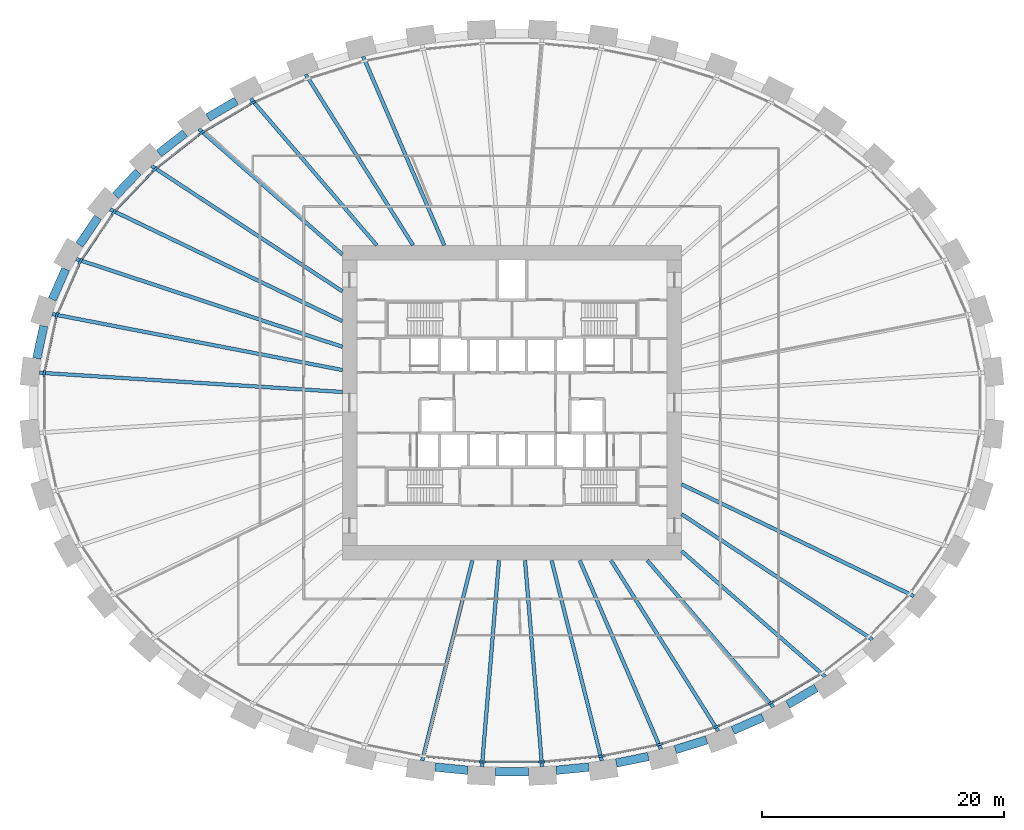
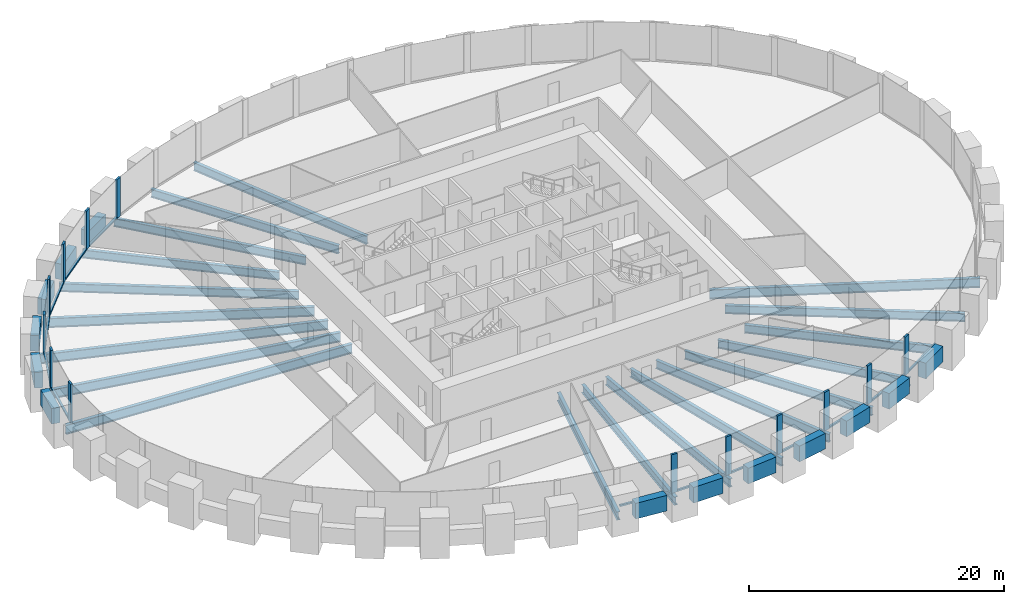
# One storey, part 2 of 10: 32 beams, 26 members, 1 element without a shape of its own.
"""IFC4 building model written with IfcOpenShell, lengths in metres."""

from ifc_helpers import new_model, si_unit, direction, frame, origin, origin_2d, place, context, subcontext, project, spatial, rectangle, i_section, extrude, source, transform, mapped, material, material_profile, profile_set, type_object, element, aggregate, save


model = new_model("IFC4")

# Units and contexts
model_context = context("Model", 3, precision=1e-05, world=origin(), true_north=direction((0.0, 1.0)))
body_context = subcontext(model_context, "Body", "Model", "MODEL_VIEW")
ifc_project = project(units=[si_unit("LENGTHUNIT", "METRE"), si_unit("AREAUNIT", "SQUARE_METRE"), si_unit("VOLUMEUNIT", "CUBIC_METRE"), si_unit("PLANEANGLEUNIT", "RADIAN"), si_unit("MASSUNIT", "GRAM", prefix="KILO")], contexts=[model_context])

# Site, building, storey
site_placement = place(None, origin())
site = spatial("IfcSite", under=ifc_project, at=site_placement, CompositionType="ELEMENT")
building_placement = place(site_placement, origin())
building = spatial("IfcBuilding", under=site, at=building_placement, Name="Embergate Tower", CompositionType="ELEMENT")
storey_placement = place(building_placement, frame((0.0, 0.0, 117.199951171875)))
storey = spatial("IfcBuildingStorey", under=building, at=storey_placement, Name="L25", CompositionType="ELEMENT", Elevation=117.199951171875)

# Beams
ifc_material_1 = material(Name="Concrete C70", Category="concrete")
ifc_material_profile_1 = material_profile(ifc_material_1, rectangle(XDim=0.699951171875, YDim=1.5, at=origin_2d()), Name="RC 700x1500")
ifc_profile_set_1 = profile_set([ifc_material_profile_1], Name="Concrete C70")
beam_type_1 = type_object("IfcBeamType", Name="Spandrel beam RC 700x1500 C70", PredefinedType="BEAM", material=ifc_profile_set_1)
shared_shape_1 = source(origin(), body_context, "Body", "SweptSolid", [
    extrude(rectangle(XDim=0.699951171875, YDim=1.5, at=origin_2d()), origin(), (0.0, 0.0, 1.0), 2.741455078125),
])
beam_1_placement = place(storey_placement, frame((-38.64794921875, 6.337890625, 0.0), z_axis=(-0.210532507107, -0.977586857241, 0.0), x_axis=(0.977586857241, -0.210532507107, 0.0)))
element("IfcBeam", 1, at=beam_1_placement, inside=storey, type_object=beam_type_1, Name="SPN-L25-20", PredefinedType="BEAM", context=body_context, shape_type="MappedRepresentation", body=[
    mapped(shared_shape_1, transform((0.0, 0.0, 0.0))),
])
shared_shape_2 = source(origin(), body_context, "Body", "SweptSolid", [
    extrude(rectangle(XDim=0.699951171875, YDim=1.5, at=origin_2d()), origin(), (0.0, 0.0, 1.0), 2.73779296875),
])
beam_2_placement = place(storey_placement, frame((-36.841064453125, 11.032958984375, 0.0), z_axis=(-0.401740219387, -0.915753676556, 0.0), x_axis=(0.915753676556, -0.401740219387, 0.0)))
element("IfcBeam", 2, at=beam_2_placement, inside=storey, type_object=beam_type_1, Name="SPN-L25-19", PredefinedType="BEAM", context=body_context, shape_type="MappedRepresentation", body=[
    mapped(shared_shape_2, transform((0.0, 0.0, 0.0))),
])
shared_shape_3 = source(origin(), body_context, "Body", "SweptSolid", [
    extrude(rectangle(XDim=0.699951171875, YDim=1.5, at=origin_2d()), origin(), (0.0, 0.0, 1.0), 2.727294921875),
])
beam_3_placement = place(storey_placement, frame((-34.176025390625, 15.291015625, 0.0), z_axis=(-0.562422644454, -0.826849907181, 0.0), x_axis=(0.826849907181, -0.562422644454, 0.0)))
element("IfcBeam", 3, at=beam_3_placement, inside=storey, type_object=beam_type_1, Name="SPN-L25-18", PredefinedType="BEAM", context=body_context, shape_type="MappedRepresentation", body=[
    mapped(shared_shape_3, transform((0.0, 0.0, 0.0))),
])
shared_shape_4 = source(origin(), body_context, "Body", "SweptSolid", [
    extrude(rectangle(XDim=0.699951171875, YDim=1.5, at=origin_2d()), origin(), (0.0, 0.0, 1.0), 2.720947265625),
])
beam_4_placement = place(storey_placement, frame((-30.85302734375, 19.050048828125, 0.0), z_axis=(-0.690174788546, -0.723642702759, 0.0), x_axis=(0.723642702759, -0.690174788546, 0.0)))
element("IfcBeam", 4, at=beam_4_placement, inside=storey, type_object=beam_type_1, Name="SPN-L25-17", PredefinedType="BEAM", context=body_context, shape_type="MappedRepresentation", body=[
    mapped(shared_shape_4, transform((0.0, 0.0, 0.0))),
])
shared_shape_5 = source(origin(), body_context, "Body", "SweptSolid", [
    extrude(rectangle(XDim=0.699951171875, YDim=1.5, at=origin_2d()), origin(), (0.0, 0.0, 1.0), 2.715087890625),
])
beam_5_placement = place(storey_placement, frame((-26.9951171875, 22.25, 0.0), z_axis=(-0.788183854673, -0.61543985184, 0.0), x_axis=(0.61543985184, -0.788183854673, 0.0)))
element("IfcBeam", 5, at=beam_5_placement, inside=storey, type_object=beam_type_1, Name="SPN-L25-16", PredefinedType="BEAM", context=body_context, shape_type="MappedRepresentation", body=[
    mapped(shared_shape_5, transform((0.0, 0.0, 0.0))),
])
shared_shape_6 = source(origin(), body_context, "Body", "SweptSolid", [
    extrude(rectangle(XDim=0.699951171875, YDim=1.5, at=origin_2d()), origin(), (0.0, 0.0, 1.0), 2.70947265625),
])
for number, where, z_axis, x_axis, name in (
    (6, (-22.757080078125, 24.916015625, 0.0), (-0.862100939268, -0.506736588884, 0.0), (0.506736588884, -0.862100939268, 0.0), "SPN-L25-15"),
    (7, (22.757080078125, -24.916015625, 0.0), (0.862100939268, 0.506736588884, 0.0), (-0.506736588884, 0.862100939268, 0.0), "SPN-L25-37"),
):
    element("IfcBeam", number, at=place(storey_placement, frame(where, z_axis=z_axis, x_axis=x_axis)), inside=storey, type_object=beam_type_1, Name=name, PredefinedType="BEAM", context=body_context, shape_type="MappedRepresentation", body=[
        mapped(shared_shape_6, transform((0.0, 0.0, 0.0))),
    ])
shared_shape_7 = source(origin(), body_context, "Body", "SweptSolid", [
    extrude(rectangle(XDim=0.699951171875, YDim=1.5, at=origin_2d()), origin(), (0.0, 0.0, 1.0), 2.70751953125),
])
beam_6_placement = place(storey_placement, frame((18.22705078125, -27.0458984375, 0.0), z_axis=(0.91635176707, 0.400374123774, 0.0), x_axis=(-0.400374123774, 0.91635176707, 0.0)))
element("IfcBeam", 8, at=beam_6_placement, inside=storey, type_object=beam_type_1, Name="SPN-L25-36", PredefinedType="BEAM", context=body_context, shape_type="MappedRepresentation", body=[
    mapped(shared_shape_7, transform((0.0, 0.0, 0.0))),
])
shared_shape_8 = source(origin(), body_context, "Body", "SweptSolid", [
    extrude(rectangle(XDim=0.699951171875, YDim=1.5, at=origin_2d()), origin(), (0.0, 0.0, 1.0), 2.701171875),
])
for number, where, z_axis, x_axis, name in (
    (9, (8.60888671875, -29.735107421875, 0.0), (0.980395998514, 0.197037270836, 0.0), (-0.197037270836, 0.980395998514, 0.0), "SPN-L25-34"),
    (10, (13.486083984375, -28.635009765625, 0.0), (0.954683993788, 0.297621356768, 0.0), (-0.297621356768, 0.954683993788, 0.0), "SPN-L25-35"),
):
    element("IfcBeam", number, at=place(storey_placement, frame(where, z_axis=z_axis, x_axis=x_axis)), inside=storey, type_object=beam_type_1, Name=name, PredefinedType="BEAM", context=body_context, shape_type="MappedRepresentation", body=[
        mapped(shared_shape_8, transform((0.0, 0.0, 0.0))),
    ])
shared_shape_9 = source(origin(), body_context, "Body", "SweptSolid", [
    extrude(rectangle(XDim=0.699951171875, YDim=1.5, at=origin_2d()), origin(), (0.0, 0.0, 1.0), 2.699951171875),
])
for number, where, z_axis, x_axis, name in (
    (11, (-6.333984375, -30.073974609375, 0.0), (0.995211120004, -0.097748793451, 0.0), (0.097748793451, 0.995211120004, 0.0), "SPN-L25-31"),
    (12, (3.64697265625, -30.337890625, 0.0), (0.995211120004, 0.097748793451, 0.0), (-0.097748793451, 0.995211120004, 0.0), "SPN-L25-33"),
):
    element("IfcBeam", number, at=place(storey_placement, frame(where, z_axis=z_axis, x_axis=x_axis)), inside=storey, type_object=beam_type_1, Name=name, PredefinedType="BEAM", context=body_context, shape_type="MappedRepresentation", body=[
        mapped(shared_shape_9, transform((0.0, 0.0, 0.0))),
    ])
shared_shape_10 = source(origin(), body_context, "Body", "SweptSolid", [
    extrude(rectangle(XDim=0.699951171875, YDim=1.5, at=origin_2d()), origin(), (0.0, 0.0, 1.0), 2.7001953125),
])
beam_7_placement = place(storey_placement, frame((-1.35009765625, -30.450927734375, 0.0), z_axis=(1.0, 0.0, 0.0), x_axis=(0.0, 1.0, 0.0)))
element("IfcBeam", 13, at=beam_7_placement, inside=storey, type_object=beam_type_1, Name="SPN-L25-32", PredefinedType="BEAM", context=body_context, shape_type="MappedRepresentation", body=[
    mapped(shared_shape_10, transform((0.0, 0.0, 0.0))),
])
ifc_material_2 = material(Name="Steel Q355B", Category="steel")
ifc_material_profile_2 = material_profile(ifc_material_2, i_section(OverallWidth=0.300048828125, OverallDepth=0.89990234375, WebThickness=0.01611328125, FlangeThickness=0.028076171875, FilletRadius=0.028076171875, at=origin_2d()), Name="HN 900x300x16x28")
ifc_profile_set_2 = profile_set([ifc_material_profile_2], Name="Steel Q355 grade B")
beam_type_2 = type_object("IfcBeamType", Name="Radial girder HN 900x300x16x28", PredefinedType="BEAM", material=ifc_profile_set_2)
shared_shape_11 = source(origin(), body_context, "Body", "SweptSolid", [
    extrude(i_section(OverallWidth=0.300048828125, OverallDepth=0.89990234375, WebThickness=0.01611328125, FlangeThickness=0.028076171875, FilletRadius=0.028076171875, at=origin_2d()), origin(), (0.0, 0.0, 1.0), 25.04833984375),
])
beam_8_placement = place(storey_placement, frame((-38.998046875, 2.47705078125, -0.64990234375), z_axis=(0.997988035397, -0.063402533111, 0.0), x_axis=(0.063402533111, 0.997988035397, 0.0)))
element("IfcBeam", 14, at=beam_8_placement, inside=storey, type_object=beam_type_2, Name="GIR-L25-21", PredefinedType="BEAM", context=body_context, shape_type="MappedRepresentation", body=[
    mapped(shared_shape_11, transform((0.0, 0.0, 0.0))),
])
shared_shape_12 = source(origin(), body_context, "Body", "SweptSolid", [
    extrude(i_section(OverallWidth=0.300048828125, OverallDepth=0.89990234375, WebThickness=0.01611328125, FlangeThickness=0.028076171875, FilletRadius=0.028076171875, at=origin_2d()), origin(), (0.0, 0.0, 1.0), 24.397705078125),
])
beam_9_placement = place(storey_placement, frame((-37.9560546875, 7.322021484375, -0.64990234375), z_axis=(0.981898654656, -0.18940705368, 0.0), x_axis=(0.18940705368, 0.981898654656, 0.0)))
element("IfcBeam", 15, at=beam_9_placement, inside=storey, type_object=beam_type_2, Name="GIR-L25-20", PredefinedType="BEAM", context=body_context, shape_type="MappedRepresentation", body=[
    mapped(shared_shape_12, transform((0.0, 0.0, 0.0))),
])
shared_shape_13 = source(origin(), body_context, "Body", "SweptSolid", [
    extrude(i_section(OverallWidth=0.300048828125, OverallDepth=0.89990234375, WebThickness=0.01611328125, FlangeThickness=0.028076171875, FilletRadius=0.028076171875, at=origin_2d()), origin(), (0.0, 0.0, 1.0), 23.12890625),
])
beam_10_placement = place(storey_placement, frame((-35.965087890625, 11.861083984375, -0.64990234375), z_axis=(0.949684454756, -0.313208295541, 0.0), x_axis=(0.313208295541, 0.949684454756, 0.0)))
element("IfcBeam", 16, at=beam_10_placement, inside=storey, type_object=beam_type_2, Name="GIR-L25-19", PredefinedType="BEAM", context=body_context, shape_type="MappedRepresentation", body=[
    mapped(shared_shape_13, transform((0.0, 0.0, 0.0))),
])
shared_shape_14 = source(origin(), body_context, "Body", "SweptSolid", [
    extrude(i_section(OverallWidth=0.300048828125, OverallDepth=0.89990234375, WebThickness=0.01611328125, FlangeThickness=0.028076171875, FilletRadius=0.028076171875, at=origin_2d()), origin(), (0.0, 0.0, 1.0), 21.28076171875),
])
for number, where, z_axis, x_axis, name in (
    (17, (-33.177001953125, 15.9609375, -0.64990234375), (0.901140134985, -0.433527919654, 0.0), (0.433527919654, 0.901140134985, 0.0), "GIR-L25-18"),
    (18, (33.177001953125, -15.9609375, -0.64990234375), (-0.901140134985, 0.433527919654, 0.0), (-0.433527919654, -0.901140134985, 0.0), "GIR-L25-40"),
):
    element("IfcBeam", number, at=place(storey_placement, frame(where, z_axis=z_axis, x_axis=x_axis)), inside=storey, type_object=beam_type_2, Name=name, PredefinedType="BEAM", context=body_context, shape_type="MappedRepresentation", body=[
        mapped(shared_shape_14, transform((0.0, 0.0, 0.0))),
    ])
ifc_material_profile_3 = material_profile(ifc_material_2, i_section(OverallWidth=0.300048828125, OverallDepth=0.800048828125, WebThickness=0.013916015625, FlangeThickness=0.02587890625, FilletRadius=0.028076171875, at=origin_2d()), Name="HN 800x300x14x26")
ifc_profile_set_3 = profile_set([ifc_material_profile_3], Name="Steel Q355 grade B")
beam_type_3 = type_object("IfcBeamType", Name="Radial girder HN 800x300x14x26", PredefinedType="BEAM", material=ifc_profile_set_3)
shared_shape_15 = source(origin(), body_context, "Body", "SweptSolid", [
    extrude(i_section(OverallWidth=0.300048828125, OverallDepth=0.800048828125, WebThickness=0.013916015625, FlangeThickness=0.02587890625, FilletRadius=0.028076171875, at=origin_2d()), origin(), (0.0, 0.0, 1.0), 18.8515625),
])
for number, where, z_axis, x_axis, name in (
    (19, (-29.7548828125, 19.550048828125, -0.599853515625), (0.835733668862, -0.549134987713, 0.0), (0.549134987713, 0.835733668862, 0.0), "GIR-L25-17"),
    (20, (29.7548828125, -19.550048828125, -0.599853515625), (-0.835733668862, 0.549134987713, 0.0), (-0.549134987713, -0.835733668862, 0.0), "GIR-L25-39"),
):
    element("IfcBeam", number, at=place(storey_placement, frame(where, z_axis=z_axis, x_axis=x_axis)), inside=storey, type_object=beam_type_3, Name=name, PredefinedType="BEAM", context=body_context, shape_type="MappedRepresentation", body=[
        mapped(shared_shape_15, transform((0.0, 0.0, 0.0))),
    ])
shared_shape_16 = source(origin(), body_context, "Body", "SweptSolid", [
    extrude(i_section(OverallWidth=0.300048828125, OverallDepth=0.800048828125, WebThickness=0.013916015625, FlangeThickness=0.02587890625, FilletRadius=0.028076171875, at=origin_2d()), origin(), (0.0, 0.0, 1.0), 15.73583984375),
])
for number, where, z_axis, x_axis, name in (
    (21, (-25.844970703125, 22.60205078125, -0.599853515625), (0.752741020376, -0.658316759807, 0.0), (0.658316759807, 0.752741020376, 0.0), "GIR-L25-16"),
    (22, (25.844970703125, -22.60205078125, -0.599853515625), (-0.752741020376, 0.658316759807, 0.0), (-0.658316759807, -0.752741020376, 0.0), "GIR-L25-38"),
):
    element("IfcBeam", number, at=place(storey_placement, frame(where, z_axis=z_axis, x_axis=x_axis)), inside=storey, type_object=beam_type_3, Name=name, PredefinedType="BEAM", context=body_context, shape_type="MappedRepresentation", body=[
        mapped(shared_shape_16, transform((0.0, 0.0, 0.0))),
    ])
shared_shape_17 = source(origin(), body_context, "Body", "SweptSolid", [
    extrude(i_section(OverallWidth=0.300048828125, OverallDepth=0.800048828125, WebThickness=0.013916015625, FlangeThickness=0.02587890625, FilletRadius=0.028076171875, at=origin_2d()), origin(), (0.0, 0.0, 1.0), 15.969970703125),
])
for number, where, z_axis, x_axis, name in (
    (23, (-21.568115234375, 25.115966796875, -0.599853515625), (0.651474728506, -0.758670335599, 0.0), (0.758670335599, 0.651474728506, 0.0), "GIR-L25-15"),
    (24, (21.568115234375, -25.115966796875, -0.599853515625), (-0.651474728506, 0.758670335599, 0.0), (-0.758670335599, -0.651474728506, 0.0), "GIR-L25-37"),
):
    element("IfcBeam", number, at=place(storey_placement, frame(where, z_axis=z_axis, x_axis=x_axis)), inside=storey, type_object=beam_type_3, Name=name, PredefinedType="BEAM", context=body_context, shape_type="MappedRepresentation", body=[
        mapped(shared_shape_17, transform((0.0, 0.0, 0.0))),
    ])
shared_shape_18 = source(origin(), body_context, "Body", "SweptSolid", [
    extrude(i_section(OverallWidth=0.300048828125, OverallDepth=0.800048828125, WebThickness=0.013916015625, FlangeThickness=0.02587890625, FilletRadius=0.028076171875, at=origin_2d()), origin(), (0.0, 0.0, 1.0), 16.65478515625),
])
for number, where, z_axis, x_axis, name in (
    (25, (-17.02197265625, 27.10400390625, -0.599853515625), (0.531850282952, -0.846838400478, 0.0), (0.846838400478, 0.531850282952, 0.0), "GIR-L25-14"),
    (26, (17.02197265625, -27.10400390625, -0.599853515625), (-0.531850282952, 0.846838400478, 0.0), (-0.846838400478, -0.531850282952, 0.0), "GIR-L25-36"),
):
    element("IfcBeam", number, at=place(storey_placement, frame(where, z_axis=z_axis, x_axis=x_axis)), inside=storey, type_object=beam_type_3, Name=name, PredefinedType="BEAM", context=body_context, shape_type="MappedRepresentation", body=[
        mapped(shared_shape_18, transform((0.0, 0.0, 0.0))),
    ])
shared_shape_19 = source(origin(), body_context, "Body", "SweptSolid", [
    extrude(i_section(OverallWidth=0.300048828125, OverallDepth=0.800048828125, WebThickness=0.013916015625, FlangeThickness=0.02587890625, FilletRadius=0.028076171875, at=origin_2d()), origin(), (0.0, 0.0, 1.0), 16.95751953125),
])
for number, where, z_axis, x_axis, name in (
    (27, (-12.284912109375, 28.5791015625, -0.599853515625), (0.394928600028, -0.918711816012, 0.0), (0.918711816012, 0.394928600028, 0.0), "GIR-L25-13"),
    (28, (12.284912109375, -28.5791015625, -0.599853515625), (-0.394928600028, 0.918711816012, 0.0), (-0.918711816012, -0.394928600028, 0.0), "GIR-L25-35"),
):
    element("IfcBeam", number, at=place(storey_placement, frame(where, z_axis=z_axis, x_axis=x_axis)), inside=storey, type_object=beam_type_3, Name=name, PredefinedType="BEAM", context=body_context, shape_type="MappedRepresentation", body=[
        mapped(shared_shape_19, transform((0.0, 0.0, 0.0))),
    ])
shared_shape_20 = source(origin(), body_context, "Body", "SweptSolid", [
    extrude(i_section(OverallWidth=0.300048828125, OverallDepth=0.800048828125, WebThickness=0.013916015625, FlangeThickness=0.02587890625, FilletRadius=0.028076171875, at=origin_2d()), origin(), (0.0, 0.0, 1.0), 17.068603515625),
])
for number, where, z_axis, x_axis, name in (
    (29, (-7.419921875, -29.554931640625, -0.599853515625), (0.243487950905, 0.969903921924, 0.0), (-0.969903921924, 0.243487950905, 0.0), "GIR-L25-31"),
    (30, (7.419921875, -29.554931640625, -0.599853515625), (-0.243487950905, 0.969903921924, 0.0), (-0.969903921924, -0.243487950905, 0.0), "GIR-L25-34"),
):
    element("IfcBeam", number, at=place(storey_placement, frame(where, z_axis=z_axis, x_axis=x_axis)), inside=storey, type_object=beam_type_3, Name=name, PredefinedType="BEAM", context=body_context, shape_type="MappedRepresentation", body=[
        mapped(shared_shape_20, transform((0.0, 0.0, 0.0))),
    ])
shared_shape_21 = source(origin(), body_context, "Body", "SweptSolid", [
    extrude(i_section(OverallWidth=0.300048828125, OverallDepth=0.800048828125, WebThickness=0.013916015625, FlangeThickness=0.02587890625, FilletRadius=0.028076171875, at=origin_2d()), origin(), (0.0, 0.0, 1.0), 17.09912109375),
])
for number, where, z_axis, x_axis, name in (
    (31, (-2.48095703125, -30.041015625, -0.599853515625), (0.082284484054, 0.996608882001, 0.0), (-0.996608882001, 0.082284484054, 0.0), "GIR-L25-32"),
    (32, (2.48095703125, -30.041015625, -0.599853515625), (-0.082284484054, 0.996608882001, 0.0), (-0.996608882001, -0.082284484054, 0.0), "GIR-L25-33"),
):
    element("IfcBeam", number, at=place(storey_placement, frame(where, z_axis=z_axis, x_axis=x_axis)), inside=storey, type_object=beam_type_3, Name=name, PredefinedType="BEAM", context=body_context, shape_type="MappedRepresentation", body=[
        mapped(shared_shape_21, transform((0.0, 0.0, 0.0))),
    ])

# Curtain wall, members
ifc_material_3 = material(Name="Aluminium and glass", Category="aluminium")
curtain_wall_type = type_object("IfcCurtainWallType", Name="Recessed office glazing", PredefinedType="NOTDEFINED", material=ifc_material_3)
curtain_wall_placement = place(storey_placement, origin())
curtain_wall = element("IfcCurtainWall", 33, at=curtain_wall_placement, inside=storey, type_object=curtain_wall_type, Name="Recessed office glazing ring", ObjectType="RECESSED OFFICE GLAZING", PredefinedType="USERDEFINED")
ifc_material_4 = material(Name="Aluminium, thermally broken", Category="aluminium")
ifc_material_profile_4 = material_profile(ifc_material_4, rectangle(XDim=0.179931640625, YDim=0.52001953125, at=origin_2d()), Name="AL 520x180")
ifc_profile_set_4 = profile_set([ifc_material_profile_4], Name="Aluminium, thermally broken")
member_type_1 = type_object("IfcMemberType", Name="Office mullion", PredefinedType="MULLION", material=ifc_profile_set_4)
shared_shape_22 = source(origin(), body_context, "Body", "SweptSolid", [
    extrude(rectangle(XDim=0.179931640625, YDim=0.52001953125, at=origin_2d()), origin(), (0.0, 0.0, 1.0), 3.699951171875),
])
member_1_placement = place(storey_placement, frame((-21.391357421875, 24.768310546875, 0.0), z_axis=(0.0, 0.0, 1.0), x_axis=(0.454516044429, -0.890738550506, 0.0)))
member_1 = element("IfcMember", 34, at=member_1_placement, type_object=member_type_1, Name="CW mullion 16", PredefinedType="MULLION", context=body_context, shape_type="MappedRepresentation", body=[
    mapped(shared_shape_22, transform((0.0, 0.0, 0.0))),
])
member_2_placement = place(storey_placement, frame((-25.6259765625, 22.278564453125, 0.0), z_axis=(0.0, 0.0, 1.0), x_axis=(0.562223392005, -0.826985403428, 0.0)))
member_2 = element("IfcMember", 35, at=member_2_placement, type_object=member_type_1, Name="CW mullion 17", PredefinedType="MULLION", context=body_context, shape_type="MappedRepresentation", body=[
    mapped(shared_shape_22, transform((0.0, 0.0, 0.0))),
])
member_3_placement = place(storey_placement, frame((-29.49365234375, 19.260009765625, 0.0), z_axis=(0.0, 0.0, 1.0), x_axis=(0.671233002577, -0.741246420734, 0.0)))
member_3 = element("IfcMember", 36, at=member_3_placement, type_object=member_type_1, Name="CW mullion 18", PredefinedType="MULLION", context=body_context, shape_type="MappedRepresentation", body=[
    mapped(shared_shape_22, transform((0.0, 0.0, 0.0))),
])
member_4_placement = place(storey_placement, frame((-32.87451171875, 15.714599609375, 0.0), z_axis=(0.0, 0.0, 1.0), x_axis=(0.777879145133, -0.628413904658, 0.0)))
member_4 = element("IfcMember", 37, at=member_4_placement, type_object=member_type_1, Name="CW mullion 19", PredefinedType="MULLION", context=body_context, shape_type="MappedRepresentation", body=[
    mapped(shared_shape_22, transform((0.0, 0.0, 0.0))),
])
member_5_placement = place(storey_placement, frame((-35.62451171875, 11.6708984375, 0.0), z_axis=(0.0, 0.0, 1.0), x_axis=(0.875006965472, -0.484110328723, 0.0)))
member_5 = element("IfcMember", 38, at=member_5_placement, type_object=member_type_1, Name="CW mullion 20", PredefinedType="MULLION", context=body_context, shape_type="MappedRepresentation", body=[
    mapped(shared_shape_22, transform((0.0, 0.0, 0.0))),
])
member_6_placement = place(storey_placement, frame((-37.5849609375, 7.20068359375, 0.0), z_axis=(0.0, 0.0, 1.0), x_axis=(0.951500482757, -0.30764725143, 0.0)))
member_6 = element("IfcMember", 39, at=member_6_placement, type_object=member_type_1, Name="CW mullion 21", PredefinedType="MULLION", context=body_context, shape_type="MappedRepresentation", body=[
    mapped(shared_shape_22, transform((0.0, 0.0, 0.0))),
])
member_7_placement = place(storey_placement, frame((-38.610595703125, 2.435791015625, 0.0), z_axis=(0.0, 0.0, 1.0), x_axis=(0.994385324123, -0.105819786286, 0.0)))
member_7 = element("IfcMember", 40, at=member_7_placement, type_object=member_type_1, Name="CW mullion 22", PredefinedType="MULLION", context=body_context, shape_type="MappedRepresentation", body=[
    mapped(shared_shape_22, transform((0.0, 0.0, 0.0))),
])
member_8_placement = place(storey_placement, frame((-2.462158203125, -29.65087890625, 0.0), z_axis=(0.0, 0.0, 1.0), x_axis=(0.048971796621, 0.998800161762, 0.0)))
member_8 = element("IfcMember", 41, at=member_8_placement, type_object=member_type_1, Name="CW mullion 33", PredefinedType="MULLION", context=body_context, shape_type="MappedRepresentation", body=[
    mapped(shared_shape_22, transform((0.0, 0.0, 0.0))),
])
member_9_placement = place(storey_placement, frame((2.462158203125, -29.65087890625, 0.0), z_axis=(0.0, 0.0, 1.0), x_axis=(-0.048971796621, 0.998800161762, 0.0)))
member_9 = element("IfcMember", 42, at=member_9_placement, type_object=member_type_1, Name="CW mullion 34", PredefinedType="MULLION", context=body_context, shape_type="MappedRepresentation", body=[
    mapped(shared_shape_22, transform((0.0, 0.0, 0.0))),
])
member_10_placement = place(storey_placement, frame((7.3623046875, -29.169189453125, 0.0), z_axis=(0.0, 0.0, 1.0), x_axis=(-0.14741410908, 0.98907486089, 0.0)))
member_10 = element("IfcMember", 43, at=member_10_placement, type_object=member_type_1, Name="CW mullion 35", PredefinedType="MULLION", context=body_context, shape_type="MappedRepresentation", body=[
    mapped(shared_shape_22, transform((0.0, 0.0, 0.0))),
])
member_11_placement = place(storey_placement, frame((12.1884765625, -28.201171875, 0.0), z_axis=(0.0, 0.0, 1.0), x_axis=(-0.247315263593, 0.968935065107, 0.0)))
member_11 = element("IfcMember", 44, at=member_11_placement, type_object=member_type_1, Name="CW mullion 36", PredefinedType="MULLION", context=body_context, shape_type="MappedRepresentation", body=[
    mapped(shared_shape_22, transform((0.0, 0.0, 0.0))),
])
member_12_placement = place(storey_placement, frame((16.88623046875, -26.73828125, 0.0), z_axis=(0.0, 0.0, 1.0), x_axis=(-0.34950595337, 0.936934143128, 0.0)))
member_12 = element("IfcMember", 45, at=member_12_placement, type_object=member_type_1, Name="CW mullion 37", PredefinedType="MULLION", context=body_context, shape_type="MappedRepresentation", body=[
    mapped(shared_shape_22, transform((0.0, 0.0, 0.0))),
])
member_13_placement = place(storey_placement, frame((21.391357421875, -24.768310546875, 0.0), z_axis=(0.0, 0.0, 1.0), x_axis=(-0.454516044429, 0.890738550506, 0.0)))
member_13 = element("IfcMember", 46, at=member_13_placement, type_object=member_type_1, Name="CW mullion 38", PredefinedType="MULLION", context=body_context, shape_type="MappedRepresentation", body=[
    mapped(shared_shape_22, transform((0.0, 0.0, 0.0))),
])
ifc_material_profile_5 = material_profile(ifc_material_4, rectangle(XDim=0.179931640625, YDim=0.14990234375, at=origin_2d()), Name="AL 150x180")
ifc_profile_set_5 = profile_set([ifc_material_profile_5], Name="Aluminium, thermally broken")
member_type_2 = type_object("IfcMemberType", Name="Office sill transom", PredefinedType="USERDEFINED", material=ifc_profile_set_5)
shared_shape_23 = source(origin(), body_context, "Body", "SweptSolid", [
    extrude(rectangle(XDim=0.179931640625, YDim=0.14990234375, at=origin_2d()), origin(), (0.0, 0.0, 1.0), 4.361083984375),
])
member_14_placement = place(storey_placement, frame((-35.72900390625, 11.432861328125, 0.074951171875), z_axis=(-0.401614544281, -0.915808799817, 0.0), x_axis=(0.915808799817, -0.401614544281, 0.0)))
member_14 = element("IfcMember", 47, at=member_14_placement, type_object=member_type_2, Name="CW transom 20.1", ObjectType="TRANSOM", PredefinedType="USERDEFINED", context=body_context, shape_type="MappedRepresentation", body=[
    mapped(shared_shape_23, transform((0.0, 0.0, 0.0))),
])
shared_shape_24 = source(origin(), body_context, "Body", "SweptSolid", [
    extrude(rectangle(XDim=0.179931640625, YDim=0.14990234375, at=origin_2d()), origin(), (0.0, 0.0, 1.0), 4.37890625),
])
member_15_placement = place(storey_placement, frame((-29.673095703125, 19.07177734375, 0.074951171875), z_axis=(-0.690125589668, -0.723689623032, 0.0), x_axis=(0.723689623032, -0.690125589668, 0.0)))
member_15 = element("IfcMember", 48, at=member_15_placement, type_object=member_type_2, Name="CW transom 18.1", ObjectType="TRANSOM", PredefinedType="USERDEFINED", context=body_context, shape_type="MappedRepresentation", body=[
    mapped(shared_shape_24, transform((0.0, 0.0, 0.0))),
])
shared_shape_25 = source(origin(), body_context, "Body", "SweptSolid", [
    extrude(rectangle(XDim=0.179931640625, YDim=0.14990234375, at=origin_2d()), origin(), (0.0, 0.0, 1.0), 4.404296875),
])
member_16_placement = place(storey_placement, frame((-2.2021484375, -29.65087890625, 0.074951171875), z_axis=(1.0, 0.0, 0.0), x_axis=(0.0, 1.0, 0.0)))
member_16 = element("IfcMember", 49, at=member_16_placement, type_object=member_type_2, Name="CW transom 33.1", ObjectType="TRANSOM", PredefinedType="USERDEFINED", context=body_context, shape_type="MappedRepresentation", body=[
    mapped(shared_shape_25, transform((0.0, 0.0, 0.0))),
])
shared_shape_26 = source(origin(), body_context, "Body", "SweptSolid", [
    extrude(rectangle(XDim=0.179931640625, YDim=0.14990234375, at=origin_2d()), origin(), (0.0, 0.0, 1.0), 4.354248046875),
])
member_17_placement = place(storey_placement, frame((-37.6396484375, 6.94677734375, 0.074951171875), z_axis=(-0.21042500241, -0.977610003202, 0.0), x_axis=(0.977610003202, -0.21042500241, 0.0)))
member_17 = element("IfcMember", 50, at=member_17_placement, type_object=member_type_2, Name="CW transom 21.1", ObjectType="TRANSOM", PredefinedType="USERDEFINED", context=body_context, shape_type="MappedRepresentation", body=[
    mapped(shared_shape_26, transform((0.0, 0.0, 0.0))),
])
shared_shape_27 = source(origin(), body_context, "Body", "SweptSolid", [
    extrude(rectangle(XDim=0.179931640625, YDim=0.14990234375, at=origin_2d()), origin(), (0.0, 0.0, 1.0), 4.3701171875),
])
member_18_placement = place(storey_placement, frame((-33.020751953125, 15.499755859375, 0.074951171875), z_axis=(-0.562334469625, -0.826909876753, 0.0), x_axis=(0.826909876753, -0.562334469625, 0.0)))
member_18 = element("IfcMember", 51, at=member_18_placement, type_object=member_type_2, Name="CW transom 19.1", ObjectType="TRANSOM", PredefinedType="USERDEFINED", context=body_context, shape_type="MappedRepresentation", body=[
    mapped(shared_shape_27, transform((0.0, 0.0, 0.0))),
])
shared_shape_28 = source(origin(), body_context, "Body", "SweptSolid", [
    extrude(rectangle(XDim=0.179931640625, YDim=0.14990234375, at=origin_2d()), origin(), (0.0, 0.0, 1.0), 4.386474609375),
])
member_19_placement = place(storey_placement, frame((-25.830810546875, 22.11865234375, 0.074951171875), z_axis=(-0.78833816957, -0.615242172156, 0.0), x_axis=(0.615242172156, -0.78833816957, 0.0)))
member_19 = element("IfcMember", 52, at=member_19_placement, type_object=member_type_2, Name="CW transom 17.1", ObjectType="TRANSOM", PredefinedType="USERDEFINED", context=body_context, shape_type="MappedRepresentation", body=[
    mapped(shared_shape_28, transform((0.0, 0.0, 0.0))),
])
shared_shape_29 = source(origin(), body_context, "Body", "SweptSolid", [
    extrude(rectangle(XDim=0.179931640625, YDim=0.14990234375, at=origin_2d()), origin(), (0.0, 0.0, 1.0), 4.392333984375),
])
member_20_placement = place(storey_placement, frame((-21.615478515625, 24.63671875, 0.074951171875), z_axis=(-0.862029933252, -0.506857370645, 0.0), x_axis=(0.506857370645, -0.862029933252, 0.0)))
member_20 = element("IfcMember", 53, at=member_20_placement, type_object=member_type_2, Name="CW transom 16.1", ObjectType="TRANSOM", PredefinedType="USERDEFINED", context=body_context, shape_type="MappedRepresentation", body=[
    mapped(shared_shape_29, transform((0.0, 0.0, 0.0))),
])
member_21_placement = place(storey_placement, frame((21.615478515625, -24.63671875, 0.074951171875), z_axis=(0.862029933252, 0.506857370645, 0.0), x_axis=(-0.506857370645, 0.862029933252, 0.0)))
member_21 = element("IfcMember", 54, at=member_21_placement, type_object=member_type_2, Name="CW transom 38.1", ObjectType="TRANSOM", PredefinedType="USERDEFINED", context=body_context, shape_type="MappedRepresentation", body=[
    mapped(shared_shape_29, transform((0.0, 0.0, 0.0))),
])
shared_shape_30 = source(origin(), body_context, "Body", "SweptSolid", [
    extrude(rectangle(XDim=0.179931640625, YDim=0.14990234375, at=origin_2d()), origin(), (0.0, 0.0, 1.0), 4.396728515625),
])
member_22_placement = place(storey_placement, frame((17.12451171875, -26.634033203125, 0.074951171875), z_axis=(0.91624269748, 0.400623662949, 0.0), x_axis=(-0.400623662949, 0.91624269748, 0.0)))
member_22 = element("IfcMember", 55, at=member_22_placement, type_object=member_type_2, Name="CW transom 37.1", ObjectType="TRANSOM", PredefinedType="USERDEFINED", context=body_context, shape_type="MappedRepresentation", body=[
    mapped(shared_shape_30, transform((0.0, 0.0, 0.0))),
])
shared_shape_31 = source(origin(), body_context, "Body", "SweptSolid", [
    extrude(rectangle(XDim=0.179931640625, YDim=0.14990234375, at=origin_2d()), origin(), (0.0, 0.0, 1.0), 4.400146484375),
])
member_23_placement = place(storey_placement, frame((12.436767578125, -28.123779296875, 0.074951171875), z_axis=(0.954787500192, 0.297289134474, 0.0), x_axis=(-0.297289134474, 0.954787500192, 0.0)))
member_23 = element("IfcMember", 56, at=member_23_placement, type_object=member_type_2, Name="CW transom 36.1", ObjectType="TRANSOM", PredefinedType="USERDEFINED", context=body_context, shape_type="MappedRepresentation", body=[
    mapped(shared_shape_31, transform((0.0, 0.0, 0.0))),
])
shared_shape_32 = source(origin(), body_context, "Body", "SweptSolid", [
    extrude(rectangle(XDim=0.179931640625, YDim=0.14990234375, at=origin_2d()), origin(), (0.0, 0.0, 1.0), 4.40234375),
])
member_24_placement = place(storey_placement, frame((7.6171875, -29.1181640625, 0.074951171875), z_axis=(0.980473883267, 0.196649343329, 0.0), x_axis=(-0.196649343329, 0.980473883267, 0.0)))
member_24 = element("IfcMember", 57, at=member_24_placement, type_object=member_type_2, Name="CW transom 35.1", ObjectType="TRANSOM", PredefinedType="USERDEFINED", context=body_context, shape_type="MappedRepresentation", body=[
    mapped(shared_shape_32, transform((0.0, 0.0, 0.0))),
])
shared_shape_33 = source(origin(), body_context, "Body", "SweptSolid", [
    extrude(rectangle(XDim=0.179931640625, YDim=0.14990234375, at=origin_2d()), origin(), (0.0, 0.0, 1.0), 4.404052734375),
])
member_25_placement = place(storey_placement, frame((-7.103515625, -29.194580078125, 0.074951171875), z_axis=(0.995201571056, -0.097845965514, 0.0), x_axis=(0.097845965514, 0.995201571056, 0.0)))
member_25 = element("IfcMember", 58, at=member_25_placement, type_object=member_type_2, Name="CW transom 32.1", ObjectType="TRANSOM", PredefinedType="USERDEFINED", context=body_context, shape_type="MappedRepresentation", body=[
    mapped(shared_shape_33, transform((0.0, 0.0, 0.0))),
])
member_26_placement = place(storey_placement, frame((2.720703125, -29.62548828125, 0.074951171875), z_axis=(0.995201571056, 0.097845965514, 0.0), x_axis=(-0.097845965514, 0.995201571056, 0.0)))
member_26 = element("IfcMember", 59, at=member_26_placement, type_object=member_type_2, Name="CW transom 34.1", ObjectType="TRANSOM", PredefinedType="USERDEFINED", context=body_context, shape_type="MappedRepresentation", body=[
    mapped(shared_shape_33, transform((0.0, 0.0, 0.0))),
])
aggregate(curtain_wall, [member_1, member_2, member_3, member_4, member_5, member_6, member_7, member_8, member_9, member_10, member_11, member_12, member_13, member_20, member_19, member_15, member_18, member_14, member_17, member_25, member_16, member_26, member_24, member_23, member_22, member_21])

save(model, "model.ifc")
